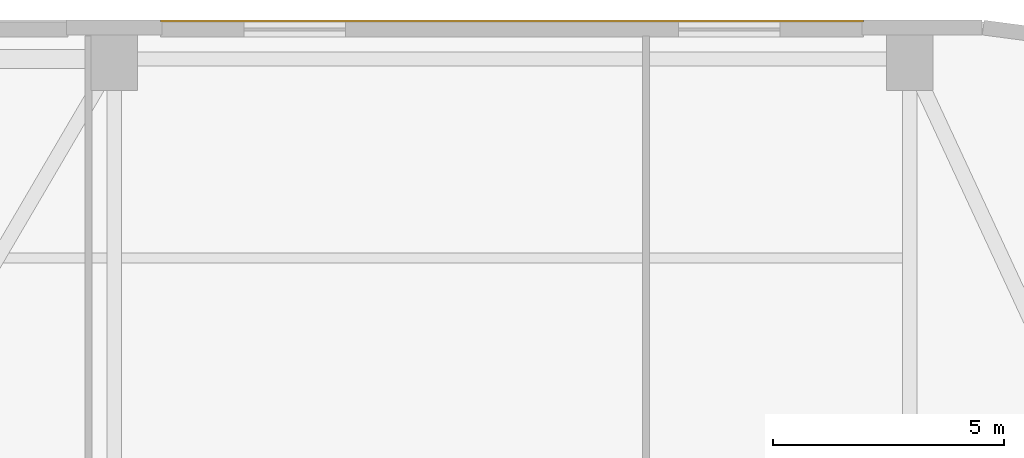
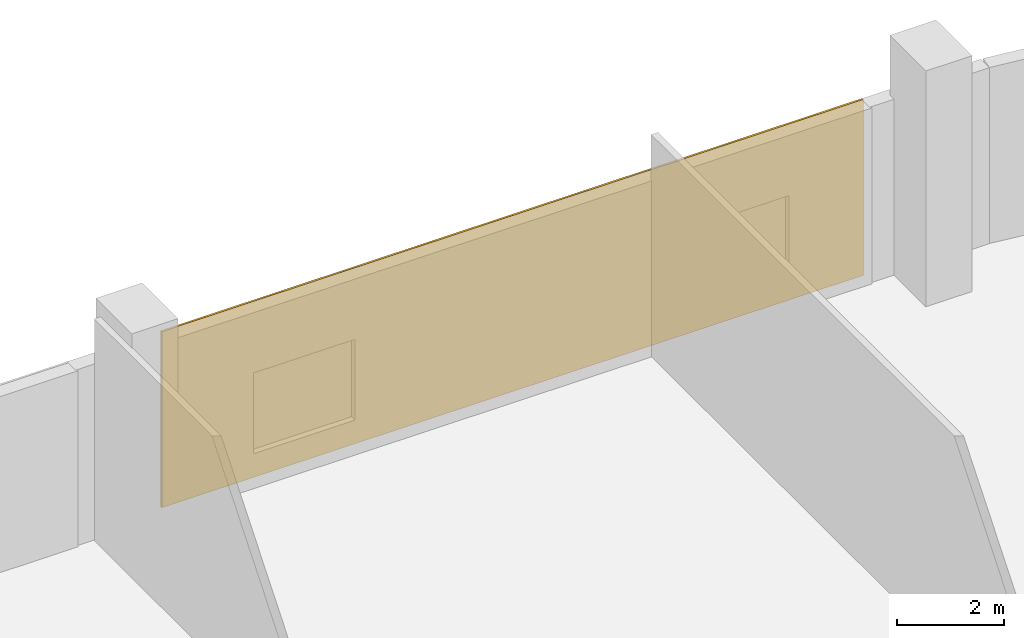
# One storey, part 31 of 31: 1 covering.
"""IFC4 building model written with IfcOpenShell, lengths in metres."""

from ifc_helpers import new_model, si_unit, direction, frame, origin, origin_2d, place, context, subcontext, project, spatial, rectangle, extrude, source, transform, mapped, material, layer, layer_set, type_object, element, save


model = new_model("IFC4")

# Units and contexts
model_context = context("Model", 3, precision=1e-05, world=origin(), true_north=direction((0.0, 1.0)))
body_context = subcontext(model_context, "Body", "Model", "MODEL_VIEW")
ifc_project = project(units=[si_unit("LENGTHUNIT", "METRE"), si_unit("AREAUNIT", "SQUARE_METRE"), si_unit("VOLUMEUNIT", "CUBIC_METRE"), si_unit("PLANEANGLEUNIT", "RADIAN"), si_unit("MASSUNIT", "GRAM", prefix="KILO")], contexts=[model_context])

# Site, building, storey
site_placement = place(None, origin())
site = spatial("IfcSite", under=ifc_project, at=site_placement, CompositionType="ELEMENT")
building_placement = place(site_placement, origin())
building = spatial("IfcBuilding", under=site, at=building_placement, Name="Varnelok Gate Tower", CompositionType="ELEMENT")
storey_placement = place(building_placement, frame((0.0, 0.0, 16.199951171875)))
storey = spatial("IfcBuildingStorey", under=building, at=storey_placement, Name="L03", CompositionType="ELEMENT", Elevation=16.199951171875)

# Covering
ifc_material = material(Name="Glazed Architectural Terracotta Ceramic", Category="masonry")
ifc_layer = layer(ifc_material, 0.044921875)
ifc_layer_set = layer_set([ifc_layer], Name="Glazed Architectural Terracotta Ceramic")
covering_type = type_object("IfcCoveringType", Name="COV-TERRA-CLAD", PredefinedType="CLADDING", material=ifc_layer_set)
shared_shape = source(origin(), body_context, "Body", "SweptSolid", [
    extrude(rectangle(XDim=15.199951171875, YDim=0.044921875, at=origin_2d()), origin(), (0.0, 0.0, 1.0), 4.030029296875),
])
covering_placement = place(storey_placement, frame((62.60009765625, 50.6220703125, 0.0), z_axis=(0.0, 0.0, 1.0), x_axis=(1.0, 0.0, 0.0)))
element("IfcCovering", 1, at=covering_placement, inside=storey, type_object=covering_type, Name="L03 Terracotta Podium Rainscreen Cladding N3", PredefinedType="CLADDING", context=body_context, shape_type="MappedRepresentation", body=[
    mapped(shared_shape, transform((0.0, 0.0, 0.0), scale=1.0)),
])

save(model, "model.ifc")
